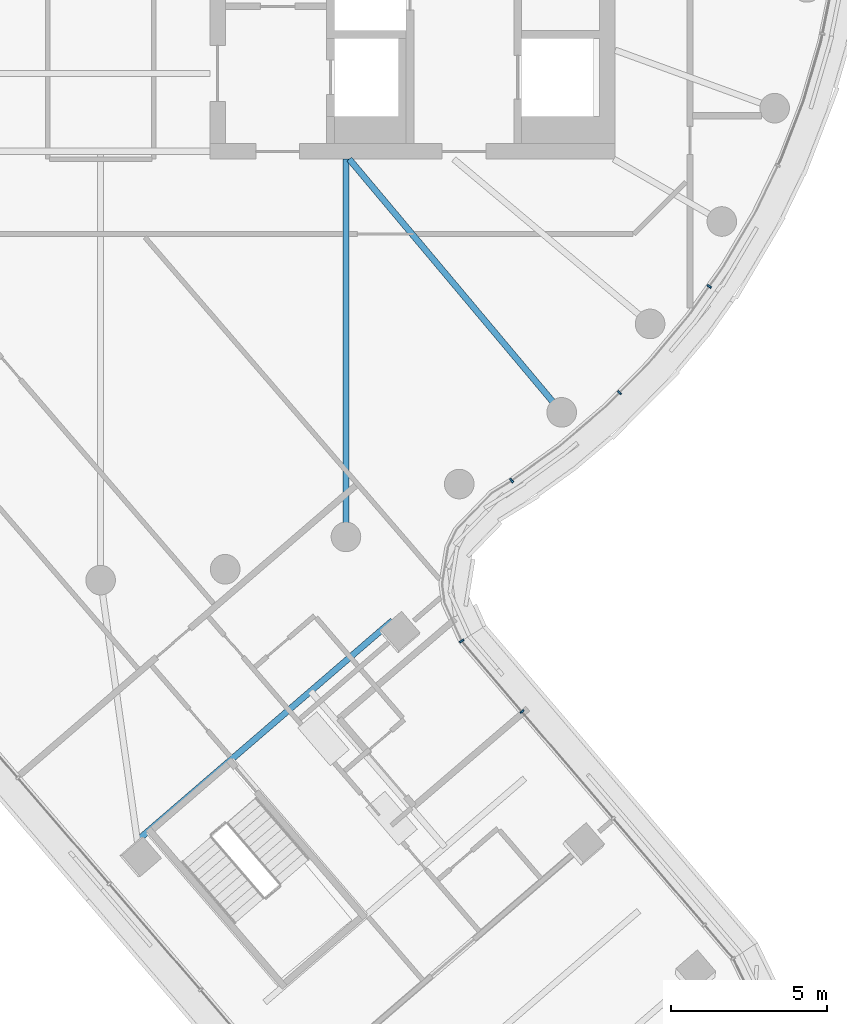
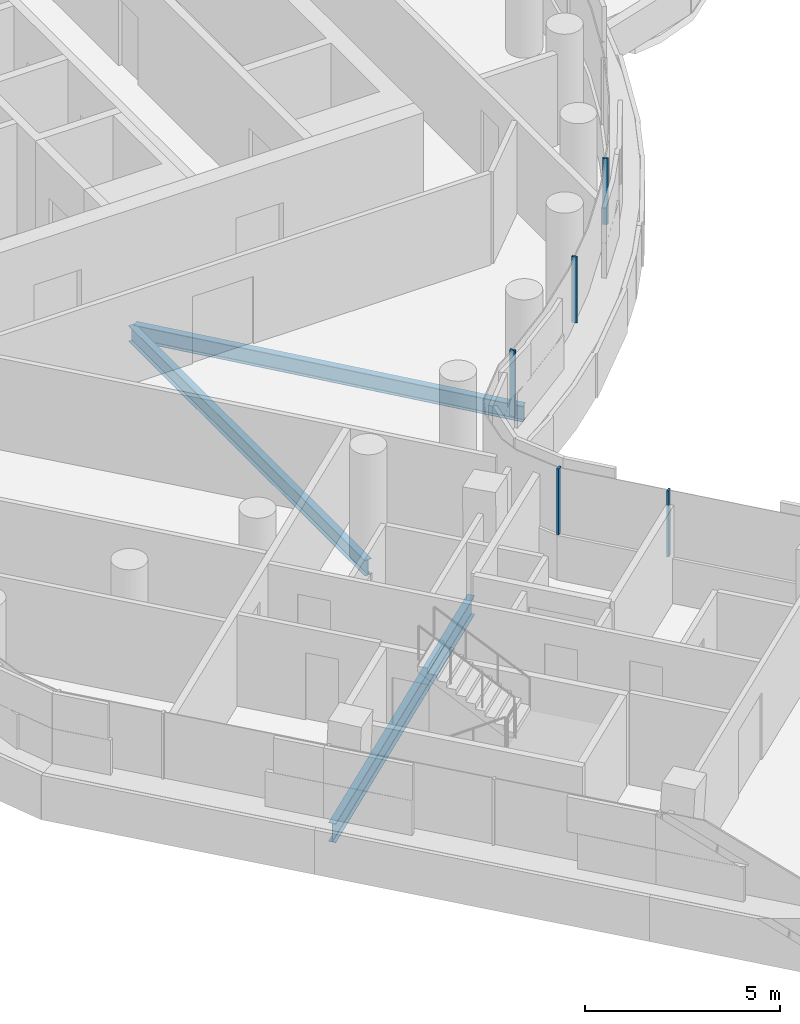
# One storey, part 7 of 34: 5 members, 3 beams, 2 elements without a shape of their own.
"""IFC4 building model written with IfcOpenShell, lengths in metres."""

from ifc_helpers import new_model, si_unit, direction, frame, origin, origin_2d, place, context, subcontext, project, spatial, rectangle, i_section, extrude, material, layer, layer_set, material_profile, profile_set, type_object, element, aggregate, save


model = new_model("IFC4")

# Units and contexts
model_context = context("Model", 3, precision=1e-05, world=origin(), true_north=direction((0.0, 1.0)))
body_context = subcontext(model_context, "Body", "Model", "MODEL_VIEW")
ifc_project = project(units=[si_unit("LENGTHUNIT", "METRE"), si_unit("AREAUNIT", "SQUARE_METRE"), si_unit("VOLUMEUNIT", "CUBIC_METRE"), si_unit("PLANEANGLEUNIT", "RADIAN"), si_unit("MASSUNIT", "GRAM", prefix="KILO")], contexts=[model_context])

# Site, building, storey
site_placement = place(None, origin())
site = spatial("IfcSite", under=ifc_project, at=site_placement, CompositionType="ELEMENT")
building_placement = place(site_placement, origin())
building = spatial("IfcBuilding", under=site, at=building_placement, Name="Tamarind Cross Interchange Tower", CompositionType="ELEMENT")
storey_placement = place(building_placement, frame((0.0, 0.0, 182.5)))
storey = spatial("IfcBuildingStorey", under=building, at=storey_placement, Name="L45", CompositionType="ELEMENT", Elevation=182.5)

# Beams
ifc_material_1 = material(Name="Steel Q355B", Category="steel")
ifc_material_profile_1 = material_profile(ifc_material_1, i_section(OverallWidth=0.198974609375, OverallDepth=0.49609375, WebThickness=0.009033203125, FlangeThickness=0.013916015625, FilletRadius=0.012939453125, at=origin_2d()), Name="HN 496x199x9x14")
ifc_profile_set_1 = profile_set([ifc_material_profile_1], Name="Steel Q355B")
beam_type_1 = type_object("IfcBeamType", Name="Composite beam HN 496x199x9x14 Q355B", PredefinedType="BEAM", material=ifc_profile_set_1)
beam_1_placement = place(storey_placement, frame((7.866455078125, -21.613037109375, -0.387939453125), z_axis=(0.0, 1.0, 0.0), x_axis=(-1.0, 0.0, 0.0)))
element("IfcBeam", 1, at=beam_1_placement, inside=storey, type_object=beam_type_1, Name="Beam HH29", PredefinedType="BEAM", context=body_context, shape_type="SweptSolid", body=[
    extrude(i_section(OverallWidth=0.198974609375, OverallDepth=0.49609375, WebThickness=0.009033203125, FlangeThickness=0.013916015625, FilletRadius=0.012939453125, at=origin_2d()), origin(), (0.0, 0.0, 1.0), 12.113037109375),
])
beam_2_placement = place(storey_placement, frame((14.7841796875, -17.619140625, -0.387939453125), z_axis=(-0.642786293979, 0.766045547127, 0.0), x_axis=(-0.766045547127, -0.642786293979, 0.0)))
element("IfcBeam", 2, at=beam_2_placement, inside=storey, type_object=beam_type_1, Name="Beam HH31", PredefinedType="BEAM", context=body_context, shape_type="SweptSolid", body=[
    extrude(i_section(OverallWidth=0.198974609375, OverallDepth=0.49609375, WebThickness=0.009033203125, FlangeThickness=0.013916015625, FilletRadius=0.012939453125, at=origin_2d()), origin(), (0.0, 0.0, 1.0), 10.598876953125),
])
ifc_material_profile_2 = material_profile(ifc_material_1, i_section(OverallWidth=0.198974609375, OverallDepth=0.595947265625, WebThickness=0.010009765625, FlangeThickness=0.014892578125, FilletRadius=0.012939453125, at=origin_2d()), Name="HN 596x199x10x15")
ifc_profile_set_2 = profile_set([ifc_material_profile_2], Name="Steel Q355B")
beam_type_2 = type_object("IfcBeamType", Name="Composite beam HN 596x199x10x15 Q355B", PredefinedType="BEAM", material=ifc_profile_set_2)
beam_3_placement = place(storey_placement, frame((1.17626953125, -31.348388671875, -0.43798828125), z_axis=(0.757588747274, 0.652732173257, 0.0), x_axis=(-0.652732173257, 0.757588747274, 0.0)))
element("IfcBeam", 3, at=beam_3_placement, inside=storey, type_object=beam_type_2, Name="Beam S-x298", PredefinedType="BEAM", context=body_context, shape_type="SweptSolid", body=[
    extrude(i_section(OverallWidth=0.198974609375, OverallDepth=0.595947265625, WebThickness=0.010009765625, FlangeThickness=0.014892578125, FilletRadius=0.012939453125, at=origin_2d()), origin(), (0.0, 0.0, 1.0), 10.803466796875),
])

# Curtain wall, member
ifc_material_2 = material(Name="Aluminium 6063-T6", Category="aluminium")
ifc_layer_1 = layer(ifc_material_2, 0.139892578125)
ifc_layer_set_1 = layer_set([ifc_layer_1], Name="Aluminium 6063-T6")
curtain_wall_type_1 = type_object("IfcCurtainWallType", Name="Hotel curtain wall, 4.5 m bays", PredefinedType="NOTDEFINED", material=ifc_layer_set_1)
curtain_wall_1_placement = place(storey_placement, origin())
curtain_wall_1 = element("IfcCurtainWall", 4, at=curtain_wall_1_placement, inside=storey, type_object=curtain_wall_type_1, Name="CWS-L45-09", PredefinedType="NOTDEFINED")
ifc_material_profile_3 = material_profile(ifc_material_2, rectangle(XDim=0.06005859375, YDim=0.139892578125, at=origin_2d()), Name="Mullion CW2")
ifc_profile_set_3 = profile_set([ifc_material_profile_3], Name="Aluminium 6063-T6")
member_type_1 = type_object("IfcMemberType", Name="Mullion CW2", PredefinedType="MULLION", material=ifc_profile_set_3)
member_1_placement = place(storey_placement, frame((13.512451171875, -27.215576171875, 1.39990234375), z_axis=(0.0, 0.0, 1.0), x_axis=(-0.650358204159, 0.759627676091, 0.0)))
member_1 = element("IfcMember", 5, at=member_1_placement, type_object=member_type_1, Name="CWM-L45-09-03", PredefinedType="MULLION", context=body_context, shape_type="SweptSolid", body=[
    extrude(rectangle(XDim=0.06005859375, YDim=0.139892578125, at=origin_2d()), origin(), (0.0, 0.0, 1.0), 2.06005859375),
])
aggregate(curtain_wall_1, [member_1])

# Curtain wall, members
ifc_layer_2 = layer(ifc_material_2, 0.14990234375)
ifc_layer_set_2 = layer_set([ifc_layer_2], Name="Aluminium 6063-T6")
curtain_wall_type_2 = type_object("IfcCurtainWallType", Name="Winter garden and crown curtain wall", PredefinedType="NOTDEFINED", material=ifc_layer_set_2)
curtain_wall_2_placement = place(storey_placement, origin())
curtain_wall_2 = element("IfcCurtainWall", 6, at=curtain_wall_2_placement, inside=storey, type_object=curtain_wall_type_2, Name="CWS-L45-10", PredefinedType="NOTDEFINED")
ifc_material_profile_4 = material_profile(ifc_material_2, rectangle(XDim=0.06005859375, YDim=0.14990234375, at=origin_2d()), Name="Mullion CW6")
ifc_profile_set_4 = profile_set([ifc_material_profile_4], Name="Aluminium 6063-T6")
member_type_2 = type_object("IfcMemberType", Name="Mullion CW6", PredefinedType="MULLION", material=ifc_profile_set_4)
member_2_placement = place(storey_placement, frame((11.57373046875, -24.951416015625, 1.39990234375), z_axis=(0.0, 0.0, 1.0), x_axis=(-0.534766784013, 0.844999696282, 0.0)))
member_2 = element("IfcMember", 7, at=member_2_placement, type_object=member_type_2, Name="CWM-L45-10-00", PredefinedType="MULLION", context=body_context, shape_type="SweptSolid", body=[
    extrude(rectangle(XDim=0.06005859375, YDim=0.14990234375, at=origin_2d()), origin(), (0.0, 0.0, 1.0), 2.06005859375),
])
member_3_placement = place(storey_placement, frame((13.181884765625, -19.806396484375, 1.39990234375), z_axis=(0.0, 0.0, 1.0), x_axis=(0.811340475102, 0.584573890505, 0.0)))
member_3 = element("IfcMember", 8, at=member_3_placement, type_object=member_type_2, Name="CWM-L45-10-01", PredefinedType="MULLION", context=body_context, shape_type="SweptSolid", body=[
    extrude(rectangle(XDim=0.06005859375, YDim=0.14990234375, at=origin_2d()), origin(), (0.0, 0.0, 1.0), 2.06005859375),
])
member_4_placement = place(storey_placement, frame((16.638427734375, -16.987060546875, 1.39990234375), z_axis=(0.0, 0.0, 1.0), x_axis=(0.704057148523, 0.710143317658, 0.0)))
member_4 = element("IfcMember", 9, at=member_4_placement, type_object=member_type_2, Name="CWM-L45-10-02", PredefinedType="MULLION", context=body_context, shape_type="SweptSolid", body=[
    extrude(rectangle(XDim=0.06005859375, YDim=0.14990234375, at=origin_2d()), origin(), (0.0, 0.0, 1.0), 2.06005859375),
])
member_5_placement = place(storey_placement, frame((19.515625, -13.5810546875, 1.39990234375), z_axis=(0.0, 0.0, 1.0), x_axis=(0.577568978284, 0.816341886298, 0.0)))
member_5 = element("IfcMember", 10, at=member_5_placement, type_object=member_type_2, Name="CWM-L45-10-03", PredefinedType="MULLION", context=body_context, shape_type="SweptSolid", body=[
    extrude(rectangle(XDim=0.06005859375, YDim=0.14990234375, at=origin_2d()), origin(), (0.0, 0.0, 1.0), 2.06005859375),
])
aggregate(curtain_wall_2, [member_2, member_3, member_4, member_5])

save(model, "model.ifc")
